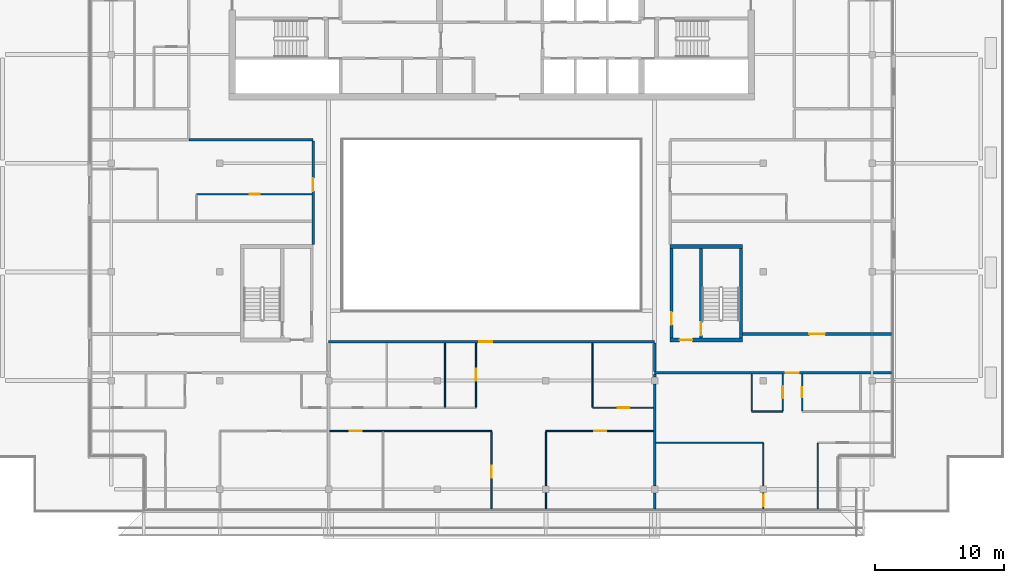
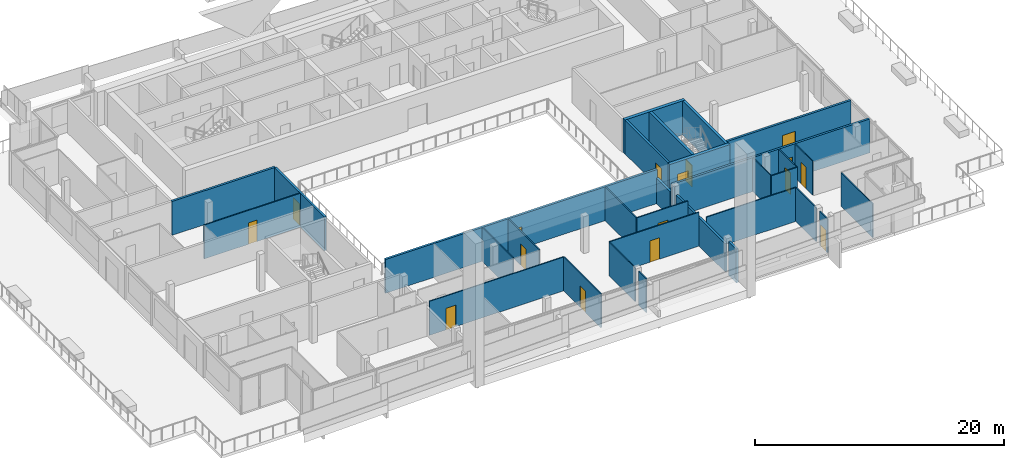
# One storey, part 18 of 29: 32 walls, 16 doors, 16 openings.
"""IFC4 building model written with IfcOpenShell, lengths in metres."""

from ifc_helpers import new_model, si_unit, direction, frame, frame_2d, origin, place, context, subcontext, project, spatial, rectangle, extrude, material, layer, layer_set, type_object, element, fill, save


model = new_model("IFC4")

# Units and contexts
model_context = context("Model", 3, precision=1e-05, world=origin(), true_north=direction((0.0, 1.0)))
body_context = subcontext(model_context, "Body", "Model", "MODEL_VIEW")
ifc_project = project(units=[si_unit("LENGTHUNIT", "METRE"), si_unit("AREAUNIT", "SQUARE_METRE"), si_unit("VOLUMEUNIT", "CUBIC_METRE"), si_unit("PLANEANGLEUNIT", "RADIAN"), si_unit("MASSUNIT", "GRAM", prefix="KILO")], contexts=[model_context])

# Site, building, storey
site_placement = place(None, origin())
site = spatial("IfcSite", under=ifc_project, at=site_placement, CompositionType="ELEMENT")
building_placement = place(site_placement, origin())
building = spatial("IfcBuilding", under=site, at=building_placement, Name="Saffron Gate Tower", CompositionType="ELEMENT")
storey_placement = place(building_placement, frame((0.0, 0.0, 270.75)))
storey = spatial("IfcBuildingStorey", under=building, at=storey_placement, Name="L65", CompositionType="ELEMENT", Elevation=270.75)

# Wall, opening, door
ifc_material_1 = material(Name="Gypsum board partition on steel studs", Category="steel")
ifc_layer_1 = layer(ifc_material_1, 0.199951171875)
ifc_layer_set_1 = layer_set([ifc_layer_1], Name="CW10 Core partition 200")
wall_type_1 = type_object("IfcWallType", Name="CW10 Core partition 200", PredefinedType="PARTITIONING", material=ifc_layer_set_1)
wall_1_placement = place(storey_placement, frame((101.5, 43.5, 0.0), z_axis=(0.0, 0.0, 1.0), x_axis=(0.0, 1.0, 0.0)))
wall_1 = element("IfcWall", 1, at=wall_1_placement, inside=storey, type_object=wall_type_1, Name="Wall CW10-L65-E-2", PredefinedType="PARTITIONING", context=body_context, shape_type="SweptSolid", body=[
    extrude(rectangle(XDim=6.89990234375, YDim=0.199951171875, at=frame_2d((3.449951171875, 0.0))), origin(), (0.0, 0.0, 1.0), 3.320068359375),
])
opening_1_placement = place(wall_1_placement, frame((1.0, 0.0, 0.0)))
opening_1 = element("IfcOpeningElement", 2, at=opening_1_placement, cuts=wall_1, Name="Opening CR-22", PredefinedType="OPENING", context=body_context, shape_type="SweptSolid", body=[
    extrude(rectangle(XDim=1.0, YDim=2.10009765625, at=frame_2d((0.5, 1.050048828125))), frame((0.0, 0.10986328125, 0.0), z_axis=(0.0, -1.0, 0.0), x_axis=(1.0, 0.0, 0.0)), (0.0, 0.0, 1.0), 0.219970703125),
])
ifc_material_2 = material(Name="Steel fire door set", Category="steel")
door_type_1 = type_object("IfcDoorType", Name="CD4 Lobby door 1000x2100 EI 120", OperationType="NOTDEFINED", PredefinedType="DOOR", material=ifc_material_2)
door_1_placement = place(opening_1_placement, origin())
door_1 = element("IfcDoor", 3, at=door_1_placement, inside=storey, type_object=door_type_1, Name="DOOR CR-22", OperationType="SINGLE_SWING_LEFT", OverallHeight=2.10009765625, OverallWidth=1.0, PredefinedType="DOOR", context=body_context, shape_type="SweptSolid", body=[
    extrude(rectangle(XDim=1.0, YDim=2.10009765625, at=frame_2d((0.5, 1.050048828125))), frame((0.0, 0.02490234375, 0.0), z_axis=(0.0, -1.0, 0.0), x_axis=(1.0, 0.0, 0.0)), (0.0, 0.0, 1.0), 0.050048828125),
])
fill(opening_1, door_1)

ifc_material_3 = material(Name="Concrete C50", Category="concrete")
ifc_layer_2 = layer(ifc_material_3, 0.25)
ifc_layer_set_2 = layer_set([ifc_layer_2], Name="CW23 RC core wall 250 C50")
wall_type_2 = type_object("IfcWallType", Name="CW23 RC core wall 250 C50", PredefinedType="SOLIDWALL", material=ifc_layer_set_2)
wall_2_placement = place(storey_placement, frame((103.77490234375, 43.5, 0.0), z_axis=(0.0, 0.0, 1.0), x_axis=(0.0, 1.0, 0.0)))
wall_2 = element("IfcWall", 4, at=wall_2_placement, inside=storey, type_object=wall_type_2, Name="Wall CW23-L65-E-3", PredefinedType="SOLIDWALL", context=body_context, shape_type="SweptSolid", body=[
    extrude(rectangle(XDim=6.89990234375, YDim=0.25, at=frame_2d((3.449951171875, 0.0))), origin(), (0.0, 0.0, 1.0), 3.320068359375),
])
opening_2_placement = place(wall_2_placement, frame((0.199951171875, 0.0, 0.0)))
opening_2 = element("IfcOpeningElement", 5, at=opening_2_placement, cuts=wall_2, Name="Opening CR-23", PredefinedType="OPENING", context=body_context, shape_type="SweptSolid", body=[
    extrude(rectangle(XDim=1.0, YDim=2.10009765625, at=frame_2d((0.5, 1.050048828125))), frame((0.0, 0.135009765625, 0.0), z_axis=(0.0, -1.0, 0.0), x_axis=(1.0, 0.0, 0.0)), (0.0, 0.0, 1.0), 0.27001953125),
])
door_type_2 = type_object("IfcDoorType", Name="CD5 Stair door 1000x2100 EI 120", OperationType="NOTDEFINED", PredefinedType="DOOR", material=ifc_material_2)
door_2_placement = place(opening_2_placement, origin())
door_2 = element("IfcDoor", 6, at=door_2_placement, inside=storey, type_object=door_type_2, Name="DOOR CR-23", OperationType="SINGLE_SWING_RIGHT", OverallHeight=2.10009765625, OverallWidth=1.0, PredefinedType="DOOR", context=body_context, shape_type="SweptSolid", body=[
    extrude(rectangle(XDim=1.0, YDim=2.10009765625, at=frame_2d((0.5, 1.050048828125))), frame((0.0, 0.02490234375, 0.0), z_axis=(0.0, -1.0, 0.0), x_axis=(1.0, 0.0, 0.0)), (0.0, 0.0, 1.0), 0.050048828125),
])
fill(opening_2, door_2)

# Wall
wall_3_placement = place(storey_placement, frame((106.875, 43.5, 0.0), z_axis=(0.0, 0.0, 1.0), x_axis=(0.0, 1.0, 0.0)))
element("IfcWall", 7, at=wall_3_placement, inside=storey, type_object=wall_type_2, Name="Wall CW23-L65-E-4", PredefinedType="SOLIDWALL", context=body_context, shape_type="SweptSolid", body=[
    extrude(rectangle(XDim=6.89990234375, YDim=0.25, at=frame_2d((3.449951171875, 0.0))), origin(), (0.0, 0.0, 1.0), 3.320068359375),
])

# Wall, opening, door
ifc_layer_3 = layer(ifc_material_3, 0.300048828125)
ifc_layer_set_3 = layer_set([ifc_layer_3], Name="CW26 RC core wall 300 C50")
wall_type_3 = type_object("IfcWallType", Name="CW26 RC core wall 300 C50", PredefinedType="SOLIDWALL", material=ifc_layer_set_3)
wall_4_placement = place(storey_placement, frame((101.39990234375, 43.35009765625, 0.0), z_axis=(0.0, 0.0, 1.0), x_axis=(1.0, 0.0, 0.0)))
wall_4 = element("IfcWall", 8, at=wall_4_placement, inside=storey, type_object=wall_type_3, Name="Wall CW26-L65-E-1", PredefinedType="SOLIDWALL", context=body_context, shape_type="SweptSolid", body=[
    extrude(rectangle(XDim=5.60009765625, YDim=0.300048828125, at=frame_2d((2.800048828125, 0.0))), origin(), (0.0, 0.0, 1.0), 3.320068359375),
])
opening_3_placement = place(wall_4_placement, frame((0.72509765625, 0.0, 0.0)))
opening_3 = element("IfcOpeningElement", 9, at=opening_3_placement, cuts=wall_4, Name="Opening CR-21", PredefinedType="OPENING", context=body_context, shape_type="SweptSolid", body=[
    extrude(rectangle(XDim=1.0, YDim=2.10009765625, at=frame_2d((0.5, 1.050048828125))), frame((0.0, 0.16015625, 0.0), z_axis=(0.0, -1.0, 0.0), x_axis=(1.0, 0.0, 0.0)), (0.0, 0.0, 1.0), 0.320068359375),
])
door_3_placement = place(opening_3_placement, origin())
door_3 = element("IfcDoor", 10, at=door_3_placement, inside=storey, type_object=door_type_1, Name="DOOR CR-21", OperationType="SINGLE_SWING_RIGHT", OverallHeight=2.10009765625, OverallWidth=1.0, PredefinedType="DOOR", context=body_context, shape_type="SweptSolid", body=[
    extrude(rectangle(XDim=1.0, YDim=2.10009765625, at=frame_2d((0.5, 1.050048828125))), frame((0.0, 0.02490234375, 0.0), z_axis=(0.0, -1.0, 0.0), x_axis=(1.0, 0.0, 0.0)), (0.0, 0.0, 1.0), 0.050048828125),
])
fill(opening_3, door_3)

# Walls
wall_5_placement = place(storey_placement, frame((101.39990234375, 50.550048828125, 0.0), z_axis=(0.0, 0.0, 1.0), x_axis=(1.0, 0.0, 0.0)))
element("IfcWall", 11, at=wall_5_placement, inside=storey, type_object=wall_type_3, Name="Wall CW26-L65-E-5", PredefinedType="SOLIDWALL", context=body_context, shape_type="SweptSolid", body=[
    extrude(rectangle(XDim=5.60009765625, YDim=0.300048828125, at=frame_2d((2.800048828125, 0.0))), origin(), (0.0, 0.0, 1.0), 3.320068359375),
])
ifc_material_4 = material(Name="Plasterboard on steel studs", Category="steel")
ifc_layer_4 = layer(ifc_material_4, 0.10009765625)
ifc_layer_set_4 = layer_set([ifc_layer_4], Name="PW1 Partition 100")
wall_type_4 = type_object("IfcWallType", Name="PW1 Partition 100", PredefinedType="PARTITIONING", material=ifc_layer_set_4)
wall_6_placement = place(storey_placement, frame((100.300048828125, 35.39990234375, 0.0), z_axis=(0.0, 0.0, 1.0), x_axis=(1.0, 0.0, 0.0)))
element("IfcWall", 12, at=wall_6_placement, inside=storey, type_object=wall_type_4, Name="Partition E2-1", PredefinedType="PARTITIONING", context=body_context, shape_type="SweptSolid", body=[
    extrude(rectangle(XDim=8.300048828125, YDim=0.10009765625, at=frame_2d((4.14990234375, 0.0))), origin(), (0.0, 0.0, 1.0), 3.320068359375),
])

# Wall, opening, door
wall_7_placement = place(storey_placement, frame((100.10009765625, 36.300048828125, 0.0), z_axis=(0.0, 0.0, 1.0), x_axis=(-1.0, 0.0, 0.0)))
wall_7 = element("IfcWall", 13, at=wall_7_placement, inside=storey, type_object=wall_type_4, Name="Partition E2-4", PredefinedType="PARTITIONING", context=body_context, shape_type="SweptSolid", body=[
    extrude(rectangle(XDim=8.300048828125, YDim=0.10009765625, at=frame_2d((4.14990234375, 0.0))), origin(), (0.0, 0.0, 1.0), 3.320068359375),
])
opening_4_placement = place(wall_7_placement, frame((3.64990234375, 0.0, 0.0)))
opening_4 = element("IfcOpeningElement", 14, at=opening_4_placement, cuts=wall_7, Name="Opening E2-13", PredefinedType="OPENING", context=body_context, shape_type="SweptSolid", body=[
    extrude(rectangle(XDim=0.89990234375, YDim=2.10009765625, at=frame_2d((0.449951171875, 1.050048828125))), frame((0.0, 0.06005859375, 0.0), z_axis=(0.0, -1.0, 0.0), x_axis=(1.0, 0.0, 0.0)), (0.0, 0.0, 1.0), 0.1201171875),
])
ifc_material_5 = material(Name="Timber door set", Category="wood")
door_type_3 = type_object("IfcDoorType", Name="RD1 Room door 900x2100", OperationType="NOTDEFINED", PredefinedType="DOOR", material=ifc_material_5)
door_4_placement = place(opening_4_placement, origin())
door_4 = element("IfcDoor", 15, at=door_4_placement, inside=storey, type_object=door_type_3, Name="Door E2-13", OperationType="SINGLE_SWING_LEFT", OverallHeight=2.10009765625, OverallWidth=0.89990234375, PredefinedType="DOOR", context=body_context, shape_type="SweptSolid", body=[
    extrude(rectangle(XDim=0.89990234375, YDim=2.10009765625, at=frame_2d((0.449951171875, 1.050048828125))), frame((0.0, 0.02490234375, 0.0), z_axis=(0.0, -1.0, 0.0), x_axis=(1.0, 0.0, 0.0)), (0.0, 0.0, 1.0), 0.050048828125),
])
fill(opening_4, door_4)

# Wall
wall_8_placement = place(storey_placement, frame((107.699951171875, 37.800048828125, 0.0), z_axis=(0.0, 0.0, 1.0), x_axis=(1.0, 0.0, 0.0)))
element("IfcWall", 16, at=wall_8_placement, inside=storey, type_object=wall_type_4, Name="Partition E2-5", PredefinedType="PARTITIONING", context=body_context, shape_type="SweptSolid", body=[
    extrude(rectangle(XDim=2.400146484375, YDim=0.10009765625, at=frame_2d((1.2001953125, 0.0))), origin(), (0.0, 0.0, 1.0), 3.320068359375),
])

# Wall, opening, door
wall_9_placement = place(storey_placement, frame((95.39990234375, 38.10009765625, 0.0), z_axis=(0.0, 0.0, 1.0), x_axis=(1.0, 0.0, 0.0)))
wall_9 = element("IfcWall", 17, at=wall_9_placement, inside=storey, type_object=wall_type_4, Name="Partition E2-8", PredefinedType="PARTITIONING", context=body_context, shape_type="SweptSolid", body=[
    extrude(rectangle(XDim=4.7001953125, YDim=0.10009765625, at=frame_2d((2.35009765625, 0.0))), origin(), (0.0, 0.0, 1.0), 3.320068359375),
])
opening_5_placement = place(wall_9_placement, frame((1.949951171875, 0.0, 0.0)))
opening_5 = element("IfcOpeningElement", 18, at=opening_5_placement, cuts=wall_9, Name="Opening E2-14", PredefinedType="OPENING", context=body_context, shape_type="SweptSolid", body=[
    extrude(rectangle(XDim=0.89990234375, YDim=2.10009765625, at=frame_2d((0.449951171875, 1.050048828125))), frame((0.0, 0.06005859375, 0.0), z_axis=(0.0, -1.0, 0.0), x_axis=(1.0, 0.0, 0.0)), (0.0, 0.0, 1.0), 0.1201171875),
])
door_5_placement = place(opening_5_placement, origin())
door_5 = element("IfcDoor", 19, at=door_5_placement, inside=storey, type_object=door_type_3, Name="Door E2-14", OperationType="SINGLE_SWING_RIGHT", OverallHeight=2.10009765625, OverallWidth=0.89990234375, PredefinedType="DOOR", context=body_context, shape_type="SweptSolid", body=[
    extrude(rectangle(XDim=0.89990234375, YDim=2.10009765625, at=frame_2d((0.449951171875, 1.050048828125))), frame((0.0, 0.02490234375, 0.0), z_axis=(0.0, -1.0, 0.0), x_axis=(1.0, 0.0, 0.0)), (0.0, 0.0, 1.0), 0.050048828125),
])
fill(opening_5, door_5)

wall_10_placement = place(storey_placement, frame((73.699951171875, 54.60009765625, 0.0), z_axis=(0.0, 0.0, 1.0), x_axis=(-1.0, 0.0, 0.0)))
wall_10 = element("IfcWall", 20, at=wall_10_placement, inside=storey, type_object=wall_type_4, Name="Partition E2-16", PredefinedType="PARTITIONING", context=body_context, shape_type="SweptSolid", body=[
    extrude(rectangle(XDim=8.89990234375, YDim=0.10009765625, at=frame_2d((4.449951171875, 0.0))), origin(), (0.0, 0.0, 1.0), 3.320068359375),
])
opening_6_placement = place(wall_10_placement, frame((4.0, 0.0, 0.0)))
opening_6 = element("IfcOpeningElement", 21, at=opening_6_placement, cuts=wall_10, Name="Opening E2-29", PredefinedType="OPENING", context=body_context, shape_type="SweptSolid", body=[
    extrude(rectangle(XDim=0.800048828125, YDim=2.10009765625, at=frame_2d((0.39990234375, 1.050048828125))), frame((0.0, 0.06005859375, 0.0), z_axis=(0.0, -1.0, 0.0), x_axis=(1.0, 0.0, 0.0)), (0.0, 0.0, 1.0), 0.1201171875),
])
door_type_4 = type_object("IfcDoorType", Name="RD2 Bathroom door 800x2100", OperationType="NOTDEFINED", PredefinedType="DOOR", material=ifc_material_5)
door_6_placement = place(opening_6_placement, origin())
door_6 = element("IfcDoor", 22, at=door_6_placement, inside=storey, type_object=door_type_4, Name="Door E2-29", OperationType="SINGLE_SWING_LEFT", OverallHeight=2.10009765625, OverallWidth=0.800048828125, PredefinedType="DOOR", context=body_context, shape_type="SweptSolid", body=[
    extrude(rectangle(XDim=0.800048828125, YDim=2.10009765625, at=frame_2d((0.39990234375, 1.050048828125))), frame((0.0, 0.02490234375, 0.0), z_axis=(0.0, -1.0, 0.0), x_axis=(1.0, 0.0, 0.0)), (0.0, 0.0, 1.0), 0.050048828125),
])
fill(opening_6, door_6)

# Wall
wall_11_placement = place(storey_placement, frame((84.0, 43.10009765625, 0.0), z_axis=(0.0, 0.0, 1.0), x_axis=(0.0, -1.0, 0.0)))
element("IfcWall", 23, at=wall_11_placement, inside=storey, type_object=wall_type_4, Name="Partition E2-54", PredefinedType="PARTITIONING", context=body_context, shape_type="SweptSolid", body=[
    extrude(rectangle(XDim=4.9501953125, YDim=0.10009765625, at=frame_2d((2.47509765625, 0.0))), origin(), (0.0, 0.0, 1.0), 3.320068359375),
])

# Wall, opening, door
wall_12_placement = place(storey_placement, frame((86.39990234375, 38.14990234375, 0.0), z_axis=(0.0, 0.0, 1.0), x_axis=(0.0, 1.0, 0.0)))
wall_12 = element("IfcWall", 24, at=wall_12_placement, inside=storey, type_object=wall_type_4, Name="Partition E2-55", PredefinedType="PARTITIONING", context=body_context, shape_type="SweptSolid", body=[
    extrude(rectangle(XDim=4.9501953125, YDim=0.10009765625, at=frame_2d((2.47509765625, 0.0))), origin(), (0.0, 0.0, 1.0), 3.320068359375),
])
opening_7_placement = place(wall_12_placement, frame((2.050048828125, 0.0, 0.0)))
opening_7 = element("IfcOpeningElement", 25, at=opening_7_placement, cuts=wall_12, Name="Opening E2-15", PredefinedType="OPENING", context=body_context, shape_type="SweptSolid", body=[
    extrude(rectangle(XDim=0.89990234375, YDim=2.10009765625, at=frame_2d((0.449951171875, 1.050048828125))), frame((0.0, 0.06005859375, 0.0), z_axis=(0.0, -1.0, 0.0), x_axis=(1.0, 0.0, 0.0)), (0.0, 0.0, 1.0), 0.1201171875),
])
door_7_placement = place(opening_7_placement, origin())
door_7 = element("IfcDoor", 26, at=door_7_placement, inside=storey, type_object=door_type_3, Name="Door E2-15", OperationType="SINGLE_SWING_RIGHT", OverallHeight=2.10009765625, OverallWidth=0.89990234375, PredefinedType="DOOR", context=body_context, shape_type="SweptSolid", body=[
    extrude(rectangle(XDim=0.89990234375, YDim=2.10009765625, at=frame_2d((0.449951171875, 1.050048828125))), frame((0.0, 0.02490234375, 0.0), z_axis=(0.0, -1.0, 0.0), x_axis=(1.0, 0.0, 0.0)), (0.0, 0.0, 1.0), 0.050048828125),
])
fill(opening_7, door_7)

wall_13_placement = place(storey_placement, frame((87.60009765625, 30.280029296875, 0.0), z_axis=(0.0, 0.0, 1.0), x_axis=(0.0, 1.0, 0.0)))
wall_13 = element("IfcWall", 27, at=wall_13_placement, inside=storey, type_object=wall_type_4, Name="Partition E2-56", PredefinedType="PARTITIONING", context=body_context, shape_type="SweptSolid", body=[
    extrude(rectangle(XDim=5.969970703125, YDim=0.10009765625, at=frame_2d((2.98486328125, 0.0))), origin(), (0.0, 0.0, 1.0), 3.320068359375),
])
opening_8_placement = place(wall_13_placement, frame((2.419921875, 0.0, 0.0)))
opening_8 = element("IfcOpeningElement", 28, at=opening_8_placement, cuts=wall_13, Name="Opening E2-12", PredefinedType="OPENING", context=body_context, shape_type="SweptSolid", body=[
    extrude(rectangle(XDim=0.89990234375, YDim=2.10009765625, at=frame_2d((0.449951171875, 1.050048828125))), frame((0.0, 0.06005859375, 0.0), z_axis=(0.0, -1.0, 0.0), x_axis=(1.0, 0.0, 0.0)), (0.0, 0.0, 1.0), 0.1201171875),
])
door_8_placement = place(opening_8_placement, origin())
door_8 = element("IfcDoor", 29, at=door_8_placement, inside=storey, type_object=door_type_3, Name="Door E2-12", OperationType="SINGLE_SWING_LEFT", OverallHeight=2.10009765625, OverallWidth=0.89990234375, PredefinedType="DOOR", context=body_context, shape_type="SweptSolid", body=[
    extrude(rectangle(XDim=0.89990234375, YDim=2.10009765625, at=frame_2d((0.449951171875, 1.050048828125))), frame((0.0, 0.02490234375, 0.0), z_axis=(0.0, -1.0, 0.0), x_axis=(1.0, 0.0, 0.0)), (0.0, 0.0, 1.0), 0.050048828125),
])
fill(opening_8, door_8)

# Walls
wall_14_placement = place(storey_placement, frame((91.800048828125, 31.530029296875, 0.0), z_axis=(0.0, 0.0, 1.0), x_axis=(0.0, -1.0, 0.0)))
element("IfcWall", 30, at=wall_14_placement, inside=storey, type_object=wall_type_4, Name="Partition E2-57", PredefinedType="PARTITIONING", context=body_context, shape_type="SweptSolid", body=[
    extrude(rectangle(XDim=1.25, YDim=0.10009765625, at=frame_2d((0.625, 0.0))), origin(), (0.0, 0.0, 1.0), 3.320068359375),
])
wall_15_placement = place(storey_placement, frame((91.800048828125, 36.25, 0.0), z_axis=(0.0, 0.0, 1.0), x_axis=(0.0, -1.0, 0.0)))
element("IfcWall", 31, at=wall_15_placement, inside=storey, type_object=wall_type_4, Name="Partition E2-58", PredefinedType="PARTITIONING", context=body_context, shape_type="SweptSolid", body=[
    extrude(rectangle(XDim=4.179931640625, YDim=0.10009765625, at=frame_2d((2.08984375, 0.0))), origin(), (0.0, 0.0, 1.0), 3.320068359375),
])
wall_16_placement = place(storey_placement, frame((95.39990234375, 43.10009765625, 0.0), z_axis=(0.0, 0.0, 1.0), x_axis=(0.0, -1.0, 0.0)))
element("IfcWall", 32, at=wall_16_placement, inside=storey, type_object=wall_type_4, Name="Partition E2-59", PredefinedType="PARTITIONING", context=body_context, shape_type="SweptSolid", body=[
    extrude(rectangle(XDim=4.9501953125, YDim=0.10009765625, at=frame_2d((2.47509765625, 0.0))), origin(), (0.0, 0.0, 1.0), 3.320068359375),
])
wall_17_placement = place(storey_placement, frame((107.699951171875, 40.699951171875, 0.0), z_axis=(0.0, 0.0, 1.0), x_axis=(0.0, -1.0, 0.0)))
element("IfcWall", 33, at=wall_17_placement, inside=storey, type_object=wall_type_4, Name="Partition E2-65", PredefinedType="PARTITIONING", context=body_context, shape_type="SweptSolid", body=[
    extrude(rectangle(XDim=2.849853515625, YDim=0.10009765625, at=frame_2d((1.4248046875, 0.0))), origin(), (0.0, 0.0, 1.0), 3.320068359375),
])

# Wall, opening, door
wall_18_placement = place(storey_placement, frame((108.60009765625, 30.280029296875, 0.0), z_axis=(0.0, 0.0, 1.0), x_axis=(0.0, 1.0, 0.0)))
wall_18 = element("IfcWall", 34, at=wall_18_placement, inside=storey, type_object=wall_type_4, Name="Partition E2-66", PredefinedType="PARTITIONING", context=body_context, shape_type="SweptSolid", body=[
    extrude(rectangle(XDim=1.25, YDim=0.10009765625, at=frame_2d((0.625, 0.0))), origin(), (0.0, 0.0, 1.0), 3.320068359375),
])
opening_9_placement = place(wall_18_placement, frame((0.199951171875, 0.0, 0.0)))
opening_9 = element("IfcOpeningElement", 35, at=opening_9_placement, cuts=wall_18, Name="Opening E2-16", PredefinedType="OPENING", context=body_context, shape_type="SweptSolid", body=[
    extrude(rectangle(XDim=0.89990234375, YDim=2.10009765625, at=frame_2d((0.449951171875, 1.050048828125))), frame((0.0, 0.06005859375, 0.0), z_axis=(0.0, -1.0, 0.0), x_axis=(1.0, 0.0, 0.0)), (0.0, 0.0, 1.0), 0.1201171875),
])
door_9_placement = place(opening_9_placement, origin())
door_9 = element("IfcDoor", 36, at=door_9_placement, inside=storey, type_object=door_type_3, Name="Door E2-16", OperationType="SINGLE_SWING_RIGHT", OverallHeight=2.10009765625, OverallWidth=0.89990234375, PredefinedType="DOOR", context=body_context, shape_type="SweptSolid", body=[
    extrude(rectangle(XDim=0.89990234375, YDim=2.10009765625, at=frame_2d((0.449951171875, 1.050048828125))), frame((0.0, 0.02490234375, 0.0), z_axis=(0.0, -1.0, 0.0), x_axis=(1.0, 0.0, 0.0)), (0.0, 0.0, 1.0), 0.050048828125),
])
fill(opening_9, door_9)

# Wall
wall_19_placement = place(storey_placement, frame((108.60009765625, 35.35009765625, 0.0), z_axis=(0.0, 0.0, 1.0), x_axis=(0.0, -1.0, 0.0)))
element("IfcWall", 37, at=wall_19_placement, inside=storey, type_object=wall_type_4, Name="Partition E2-67", PredefinedType="PARTITIONING", context=body_context, shape_type="SweptSolid", body=[
    extrude(rectangle(XDim=3.280029296875, YDim=0.10009765625, at=frame_2d((1.64013671875, 0.0))), origin(), (0.0, 0.0, 1.0), 3.320068359375),
])

# Wall, opening, door
wall_20_placement = place(storey_placement, frame((110.10009765625, 37.85009765625, 0.0), z_axis=(0.0, 0.0, 1.0), x_axis=(0.0, 1.0, 0.0)))
wall_20 = element("IfcWall", 38, at=wall_20_placement, inside=storey, type_object=wall_type_4, Name="Partition E2-68", PredefinedType="PARTITIONING", context=body_context, shape_type="SweptSolid", body=[
    extrude(rectangle(XDim=2.849853515625, YDim=0.10009765625, at=frame_2d((1.4248046875, 0.0))), origin(), (0.0, 0.0, 1.0), 3.320068359375),
])
opening_10_placement = place(wall_20_placement, frame((1.0, 0.0, 0.0)))
opening_10 = element("IfcOpeningElement", 39, at=opening_10_placement, cuts=wall_20, Name="Opening E2-18", PredefinedType="OPENING", context=body_context, shape_type="SweptSolid", body=[
    extrude(rectangle(XDim=0.89990234375, YDim=2.10009765625, at=frame_2d((0.449951171875, 1.050048828125))), frame((0.0, 0.06005859375, 0.0), z_axis=(0.0, -1.0, 0.0), x_axis=(1.0, 0.0, 0.0)), (0.0, 0.0, 1.0), 0.1201171875),
])
door_10_placement = place(opening_10_placement, origin())
door_10 = element("IfcDoor", 40, at=door_10_placement, inside=storey, type_object=door_type_3, Name="Door E2-18", OperationType="SINGLE_SWING_RIGHT", OverallHeight=2.10009765625, OverallWidth=0.89990234375, PredefinedType="DOOR", context=body_context, shape_type="SweptSolid", body=[
    extrude(rectangle(XDim=0.89990234375, YDim=2.10009765625, at=frame_2d((0.449951171875, 1.050048828125))), frame((0.0, 0.02490234375, 0.0), z_axis=(0.0, -1.0, 0.0), x_axis=(1.0, 0.0, 0.0)), (0.0, 0.0, 1.0), 0.050048828125),
])
fill(opening_10, door_10)

wall_21_placement = place(storey_placement, frame((111.60009765625, 40.699951171875, 0.0), z_axis=(0.0, 0.0, 1.0), x_axis=(0.0, -1.0, 0.0)))
wall_21 = element("IfcWall", 41, at=wall_21_placement, inside=storey, type_object=wall_type_4, Name="Partition E2-72", PredefinedType="PARTITIONING", context=body_context, shape_type="SweptSolid", body=[
    extrude(rectangle(XDim=2.849853515625, YDim=0.10009765625, at=frame_2d((1.4248046875, 0.0))), origin(), (0.0, 0.0, 1.0), 3.320068359375),
])
opening_11_placement = place(wall_21_placement, frame((1.0, 0.0, 0.0)))
opening_11 = element("IfcOpeningElement", 42, at=opening_11_placement, cuts=wall_21, Name="Opening E2-27", PredefinedType="OPENING", context=body_context, shape_type="SweptSolid", body=[
    extrude(rectangle(XDim=0.800048828125, YDim=2.10009765625, at=frame_2d((0.39990234375, 1.050048828125))), frame((0.0, 0.06005859375, 0.0), z_axis=(0.0, -1.0, 0.0), x_axis=(1.0, 0.0, 0.0)), (0.0, 0.0, 1.0), 0.1201171875),
])
door_11_placement = place(opening_11_placement, origin())
door_11 = element("IfcDoor", 43, at=door_11_placement, inside=storey, type_object=door_type_4, Name="Door E2-27", OperationType="SINGLE_SWING_LEFT", OverallHeight=2.10009765625, OverallWidth=0.800048828125, PredefinedType="DOOR", context=body_context, shape_type="SweptSolid", body=[
    extrude(rectangle(XDim=0.800048828125, YDim=2.10009765625, at=frame_2d((0.39990234375, 1.050048828125))), frame((0.0, 0.02490234375, 0.0), z_axis=(0.0, -1.0, 0.0), x_axis=(1.0, 0.0, 0.0)), (0.0, 0.0, 1.0), 0.050048828125),
])
fill(opening_11, door_11)

# Wall
wall_22_placement = place(storey_placement, frame((112.800048828125, 35.35009765625, 0.0), z_axis=(0.0, 0.0, 1.0), x_axis=(0.0, -1.0, 0.0)))
element("IfcWall", 44, at=wall_22_placement, inside=storey, type_object=wall_type_4, Name="Partition E2-73", PredefinedType="PARTITIONING", context=body_context, shape_type="SweptSolid", body=[
    extrude(rectangle(XDim=5.070068359375, YDim=0.10009765625, at=frame_2d((2.53515625, 0.0))), origin(), (0.0, 0.0, 1.0), 3.320068359375),
])

# Wall, opening, door
wall_23_placement = place(storey_placement, frame((87.60009765625, 36.300048828125, 0.0), z_axis=(0.0, 0.0, 1.0), x_axis=(-1.0, 0.0, 0.0)))
wall_23 = element("IfcWall", 45, at=wall_23_placement, inside=storey, type_object=wall_type_4, Name="Partition E2-79", PredefinedType="PARTITIONING", context=body_context, shape_type="SweptSolid", body=[
    extrude(rectangle(XDim=12.5, YDim=0.10009765625, at=frame_2d((6.25, 0.0))), origin(), (0.0, 0.0, 1.0), 3.320068359375),
])
opening_12_placement = place(wall_23_placement, frame((10.050048828125, 0.0, 0.0)))
opening_12 = element("IfcOpeningElement", 46, at=opening_12_placement, cuts=wall_23, Name="Opening E2-11", PredefinedType="OPENING", context=body_context, shape_type="SweptSolid", body=[
    extrude(rectangle(XDim=0.89990234375, YDim=2.10009765625, at=frame_2d((0.449951171875, 1.050048828125))), frame((0.0, 0.06005859375, 0.0), z_axis=(0.0, -1.0, 0.0), x_axis=(1.0, 0.0, 0.0)), (0.0, 0.0, 1.0), 0.1201171875),
])
door_12_placement = place(opening_12_placement, origin())
door_12 = element("IfcDoor", 47, at=door_12_placement, inside=storey, type_object=door_type_3, Name="Door E2-11", OperationType="SINGLE_SWING_RIGHT", OverallHeight=2.10009765625, OverallWidth=0.89990234375, PredefinedType="DOOR", context=body_context, shape_type="SweptSolid", body=[
    extrude(rectangle(XDim=0.89990234375, YDim=2.10009765625, at=frame_2d((0.449951171875, 1.050048828125))), frame((0.0, 0.02490234375, 0.0), z_axis=(0.0, -1.0, 0.0), x_axis=(1.0, 0.0, 0.0)), (0.0, 0.0, 1.0), 0.050048828125),
])
fill(opening_12, door_12)

# Walls
ifc_material_6 = material(Name="Clay brick masonry, rendered", Category="masonry")
ifc_layer_5 = layer(ifc_material_6, 0.199951171875)
ifc_layer_set_5 = layer_set([ifc_layer_5], Name="PW2 Demising wall 200")
wall_type_5 = type_object("IfcWallType", Name="PW2 Demising wall 200", PredefinedType="PARTITIONING", material=ifc_layer_set_5)
wall_24_placement = place(storey_placement, frame((100.199951171875, 31.530029296875, 0.0), z_axis=(0.0, 0.0, 1.0), x_axis=(0.0, -1.0, 0.0)))
element("IfcWall", 48, at=wall_24_placement, inside=storey, type_object=wall_type_5, Name="Wall E2-61", PredefinedType="PARTITIONING", context=body_context, shape_type="SweptSolid", body=[
    extrude(rectangle(XDim=1.25, YDim=0.199951171875, at=frame_2d((0.625, 0.0))), origin(), (0.0, 0.0, 1.0), 3.320068359375),
])
wall_25_placement = place(storey_placement, frame((100.199951171875, 39.929931640625, 0.0), z_axis=(0.0, 0.0, 1.0), x_axis=(0.0, -1.0, 0.0)))
element("IfcWall", 49, at=wall_25_placement, inside=storey, type_object=wall_type_5, Name="Wall E2-62", PredefinedType="PARTITIONING", context=body_context, shape_type="SweptSolid", body=[
    extrude(rectangle(XDim=7.85986328125, YDim=0.199951171875, at=frame_2d((3.929931640625, 0.0))), origin(), (0.0, 0.0, 1.0), 2.77001953125),
])
wall_26_placement = place(storey_placement, frame((100.199951171875, 40.699951171875, 0.0), z_axis=(0.0, 0.0, 1.0), x_axis=(0.0, -1.0, 0.0)))
element("IfcWall", 50, at=wall_26_placement, inside=storey, type_object=wall_type_5, Name="Wall E2-63", PredefinedType="PARTITIONING", context=body_context, shape_type="SweptSolid", body=[
    extrude(rectangle(XDim=0.22998046875, YDim=0.199951171875, at=frame_2d((0.114990234375, 0.0))), origin(), (0.0, 0.0, 1.0), 3.320068359375),
])

# Wall, opening, door
ifc_layer_6 = layer(ifc_material_6, 0.199951171875)
ifc_layer_set_6 = layer_set([ifc_layer_6], Name="PW3 Corridor wall 200")
wall_type_6 = type_object("IfcWallType", Name="PW3 Corridor wall 200", PredefinedType="PARTITIONING", material=ifc_layer_set_6)
wall_27_placement = place(storey_placement, frame((118.52001953125, 40.800048828125, 0.0), z_axis=(0.0, 0.0, 1.0), x_axis=(-1.0, 0.0, 0.0)))
wall_27 = element("IfcWall", 51, at=wall_27_placement, inside=storey, type_object=wall_type_6, Name="Wall E2-10", PredefinedType="PARTITIONING", context=body_context, shape_type="SweptSolid", body=[
    extrude(rectangle(XDim=18.320068359375, YDim=0.199951171875, at=frame_2d((9.16015625, 0.0))), origin(), (0.0, 0.0, 1.0), 3.320068359375),
])
opening_13_placement = place(wall_27_placement, frame((7.169921875, 0.0, 0.0)))
opening_13 = element("IfcOpeningElement", 52, at=opening_13_placement, cuts=wall_27, Name="Opening E2-3", PredefinedType="OPENING", context=body_context, shape_type="SweptSolid", body=[
    extrude(rectangle(XDim=1.0, YDim=2.10009765625, at=frame_2d((0.5, 1.050048828125))), frame((0.0, 0.10986328125, 0.0), z_axis=(0.0, -1.0, 0.0), x_axis=(1.0, 0.0, 0.0)), (0.0, 0.0, 1.0), 0.219970703125),
])
ifc_material_7 = material(Name="Timber fire door set", Category="wood")
door_type_5 = type_object("IfcDoorType", Name="FD1 Flat entry door 1000x2100", OperationType="NOTDEFINED", PredefinedType="DOOR", material=ifc_material_7)
door_13_placement = place(opening_13_placement, origin())
door_13 = element("IfcDoor", 53, at=door_13_placement, inside=storey, type_object=door_type_5, Name="Door E2-3", OperationType="SINGLE_SWING_RIGHT", OverallHeight=2.10009765625, OverallWidth=1.0, PredefinedType="DOOR", context=body_context, shape_type="SweptSolid", body=[
    extrude(rectangle(XDim=1.0, YDim=2.10009765625, at=frame_2d((0.5, 1.050048828125))), frame((0.0, 0.02490234375, 0.0), z_axis=(0.0, -1.0, 0.0), x_axis=(1.0, 0.0, 0.0)), (0.0, 0.0, 1.0), 0.050048828125),
])
fill(opening_13, door_13)

wall_28_placement = place(storey_placement, frame((100.199951171875, 43.199951171875, 0.0), z_axis=(0.0, 0.0, 1.0), x_axis=(-1.0, 0.0, 0.0)))
wall_28 = element("IfcWall", 54, at=wall_28_placement, inside=storey, type_object=wall_type_6, Name="Wall E2-11", PredefinedType="PARTITIONING", context=body_context, shape_type="SweptSolid", body=[
    extrude(rectangle(XDim=25.199951171875, YDim=0.199951171875, at=frame_2d((12.60009765625, 0.0))), origin(), (0.0, 0.0, 1.0), 3.320068359375),
])
opening_14_placement = place(wall_28_placement, frame((12.550048828125, 0.0, 0.0)))
opening_14 = element("IfcOpeningElement", 55, at=opening_14_placement, cuts=wall_28, Name="Opening E2-2", PredefinedType="OPENING", context=body_context, shape_type="SweptSolid", body=[
    extrude(rectangle(XDim=1.0, YDim=2.10009765625, at=frame_2d((0.5, 1.050048828125))), frame((0.0, 0.10986328125, 0.0), z_axis=(0.0, -1.0, 0.0), x_axis=(1.0, 0.0, 0.0)), (0.0, 0.0, 1.0), 0.219970703125),
])
door_14_placement = place(opening_14_placement, origin())
door_14 = element("IfcDoor", 56, at=door_14_placement, inside=storey, type_object=door_type_5, Name="Door E2-2", OperationType="SINGLE_SWING_RIGHT", OverallHeight=2.10009765625, OverallWidth=1.0, PredefinedType="DOOR", context=body_context, shape_type="SweptSolid", body=[
    extrude(rectangle(XDim=1.0, YDim=2.10009765625, at=frame_2d((0.5, 1.050048828125))), frame((0.0, 0.02490234375, 0.0), z_axis=(0.0, -1.0, 0.0), x_axis=(1.0, 0.0, 0.0)), (0.0, 0.0, 1.0), 0.050048828125),
])
fill(opening_14, door_14)

wall_29_placement = place(storey_placement, frame((107.0, 43.800048828125, 0.0), z_axis=(0.0, 0.0, 1.0), x_axis=(1.0, 0.0, 0.0)))
wall_29 = element("IfcWall", 57, at=wall_29_placement, inside=storey, type_object=wall_type_6, Name="Wall E2-13", PredefinedType="PARTITIONING", context=body_context, shape_type="SweptSolid", body=[
    extrude(rectangle(XDim=11.52001953125, YDim=0.199951171875, at=frame_2d((5.760009765625, 0.0))), origin(), (0.0, 0.0, 1.0), 3.320068359375),
])
opening_15_placement = place(wall_29_placement, frame((5.159912109375, 0.0, 0.0)))
opening_15 = element("IfcOpeningElement", 58, at=opening_15_placement, cuts=wall_29, Name="Opening E2-33", PredefinedType="OPENING", context=body_context, shape_type="SweptSolid", body=[
    extrude(rectangle(XDim=1.199951171875, YDim=2.10009765625, at=frame_2d((0.60009765625, 1.050048828125))), frame((0.0, 0.10986328125, 0.0), z_axis=(0.0, -1.0, 0.0), x_axis=(1.0, 0.0, 0.0)), (0.0, 0.0, 1.0), 0.219970703125),
])
door_type_6 = type_object("IfcDoorType", Name="HD1 Hall door 1200x2100", OperationType="NOTDEFINED", PredefinedType="DOOR", material=ifc_material_5)
door_15_placement = place(opening_15_placement, origin())
door_15 = element("IfcDoor", 59, at=door_15_placement, inside=storey, type_object=door_type_6, Name="Door E2-33", OperationType="SINGLE_SWING_LEFT", OverallHeight=2.10009765625, OverallWidth=1.199951171875, PredefinedType="DOOR", context=body_context, shape_type="SweptSolid", body=[
    extrude(rectangle(XDim=1.199951171875, YDim=2.10009765625, at=frame_2d((0.60009765625, 1.050048828125))), frame((0.0, 0.02490234375, 0.0), z_axis=(0.0, -1.0, 0.0), x_axis=(1.0, 0.0, 0.0)), (0.0, 0.0, 1.0), 0.050048828125),
])
fill(opening_15, door_15)

# Wall
wall_30_placement = place(storey_placement, frame((64.199951171875, 58.800048828125, 0.0), z_axis=(0.0, 0.0, 1.0), x_axis=(1.0, 0.0, 0.0)))
element("IfcWall", 60, at=wall_30_placement, inside=storey, type_object=wall_type_6, Name="Wall E2-20", PredefinedType="PARTITIONING", context=body_context, shape_type="SweptSolid", body=[
    extrude(rectangle(XDim=9.60009765625, YDim=0.199951171875, at=frame_2d((4.800048828125, 0.0))), origin(), (0.0, 0.0, 1.0), 3.320068359375),
])

# Wall, opening, door
wall_31_placement = place(storey_placement, frame((73.800048828125, 50.699951171875, 0.0), z_axis=(0.0, 0.0, 1.0), x_axis=(0.0, 1.0, 0.0)))
wall_31 = element("IfcWall", 61, at=wall_31_placement, inside=storey, type_object=wall_type_6, Name="Wall E2-47", PredefinedType="PARTITIONING", context=body_context, shape_type="SweptSolid", body=[
    extrude(rectangle(XDim=8.0, YDim=0.199951171875, at=frame_2d((4.0, 0.0))), origin(), (0.0, 0.0, 1.0), 3.320068359375),
])
opening_16_placement = place(wall_31_placement, frame((4.14990234375, 0.0, 0.0)))
opening_16 = element("IfcOpeningElement", 62, at=opening_16_placement, cuts=wall_31, Name="Opening E2-4", PredefinedType="OPENING", context=body_context, shape_type="SweptSolid", body=[
    extrude(rectangle(XDim=1.0, YDim=2.10009765625, at=frame_2d((0.5, 1.050048828125))), frame((0.0, 0.10986328125, 0.0), z_axis=(0.0, -1.0, 0.0), x_axis=(1.0, 0.0, 0.0)), (0.0, 0.0, 1.0), 0.219970703125),
])
door_16_placement = place(opening_16_placement, origin())
door_16 = element("IfcDoor", 63, at=door_16_placement, inside=storey, type_object=door_type_5, Name="Door E2-4", OperationType="SINGLE_SWING_RIGHT", OverallHeight=2.10009765625, OverallWidth=1.0, PredefinedType="DOOR", context=body_context, shape_type="SweptSolid", body=[
    extrude(rectangle(XDim=1.0, YDim=2.10009765625, at=frame_2d((0.5, 1.050048828125))), frame((0.0, 0.02490234375, 0.0), z_axis=(0.0, -1.0, 0.0), x_axis=(1.0, 0.0, 0.0)), (0.0, 0.0, 1.0), 0.050048828125),
])
fill(opening_16, door_16)

# Wall
wall_32_placement = place(storey_placement, frame((100.199951171875, 43.10009765625, 0.0), z_axis=(0.0, 0.0, 1.0), x_axis=(0.0, -1.0, 0.0)))
element("IfcWall", 64, at=wall_32_placement, inside=storey, type_object=wall_type_6, Name="Wall E2-60", PredefinedType="PARTITIONING", context=body_context, shape_type="SweptSolid", body=[
    extrude(rectangle(XDim=2.2001953125, YDim=0.199951171875, at=frame_2d((1.10009765625, 0.0))), origin(), (0.0, 0.0, 1.0), 2.530029296875),
])

save(model, "model.ifc")
